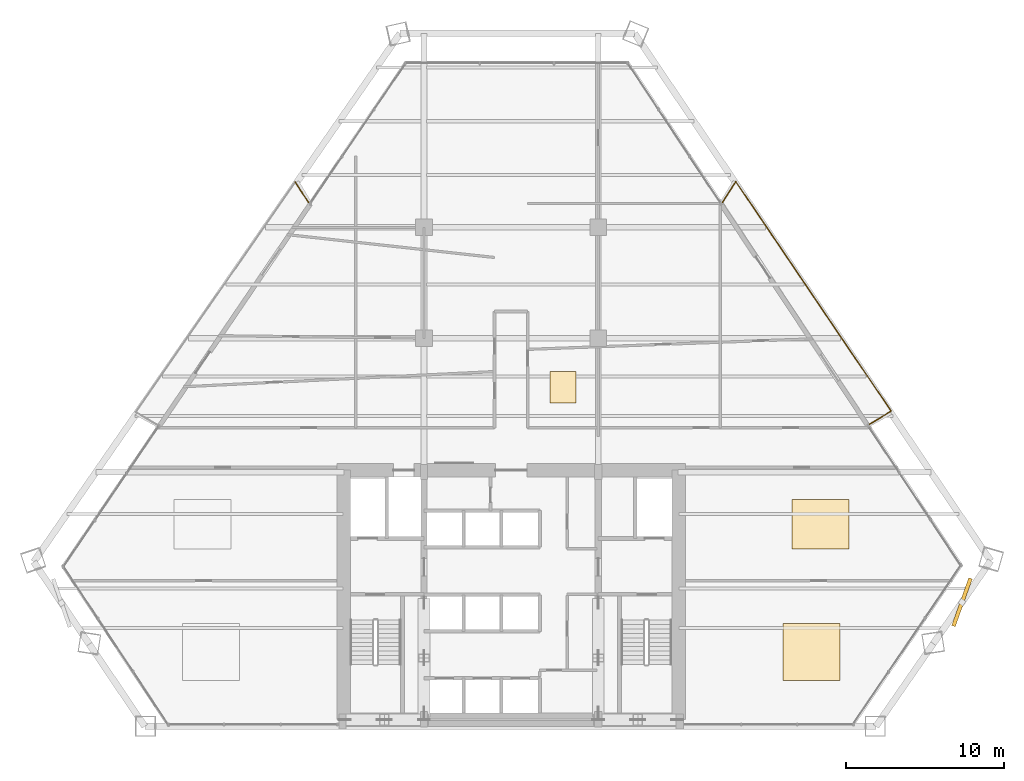
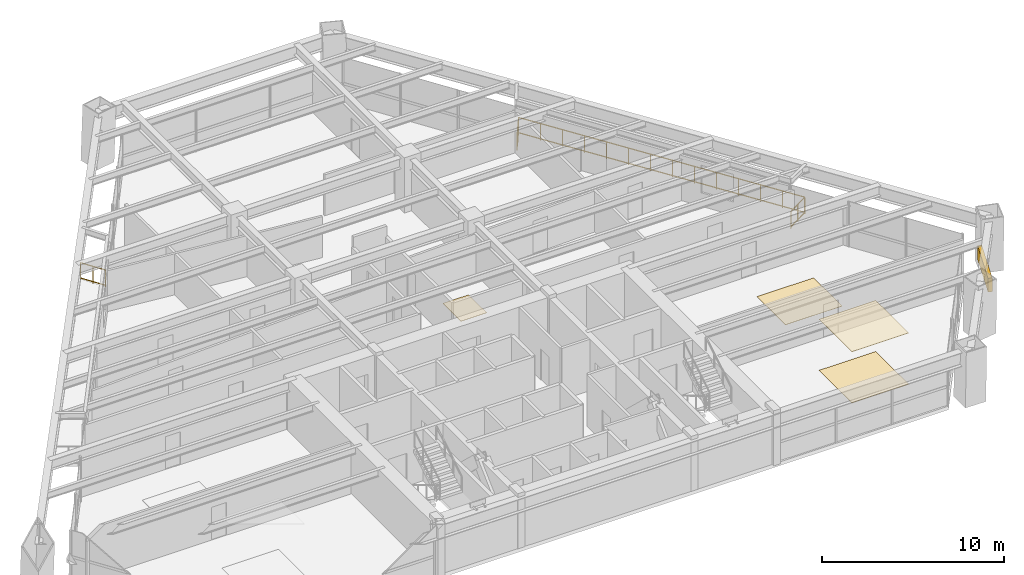
# One storey, part 14 of 14: 4 coverings, 4 railings, 1 shading device.
"""IFC4 building model written with IfcOpenShell, lengths in metres."""

from ifc_helpers import new_model, si_unit, direction, frame, origin, origin_2d, place, context, subcontext, project, spatial, rectangle, extrude, source, transform, mapped, material, layer, layer_set, type_object, type_shapes, element, save


model = new_model("IFC4")

# Units and contexts
model_context = context("Model", 3, precision=1e-05, world=origin(), true_north=direction((0.0, 1.0)))
body_context = subcontext(model_context, "Body", "Model", "MODEL_VIEW")
ifc_project = project(units=[si_unit("LENGTHUNIT", "METRE"), si_unit("AREAUNIT", "SQUARE_METRE"), si_unit("VOLUMEUNIT", "CUBIC_METRE"), si_unit("PLANEANGLEUNIT", "RADIAN"), si_unit("MASSUNIT", "GRAM", prefix="KILO")], contexts=[model_context])

# Site, building, storey
site_placement = place(None, origin())
site = spatial("IfcSite", under=ifc_project, at=site_placement, CompositionType="ELEMENT")
building_placement = place(site_placement, origin())
building = spatial("IfcBuilding", under=site, at=building_placement, Name="Varnakhor Terracotta Tower", CompositionType="ELEMENT")
storey_placement = place(building_placement, frame((0.0, 0.0, 60.800048828125)))
storey = spatial("IfcBuildingStorey", under=building, at=storey_placement, Name="L14", CompositionType="ELEMENT", Elevation=60.800048828125)

# Railings
ifc_material_1 = material(Name="Stainless Steel & Laminated Glass Guardrail", Category="steel")
railing_type = type_object("IfcRailingType", Name="RLG-LOGGIA-GUARD-1150", PredefinedType="GUARDRAIL", material=ifc_material_1)
railing_1_placement = place(storey_placement, frame((13.34130859375, 33.07958984375, 0.0)))
element("IfcRailing", 1, at=railing_1_placement, inside=storey, type_object=railing_type, Name="L14 E Loggia Glass Guard 1", PredefinedType="GUARDRAIL", context=body_context, shape_type="SweptSolid", body=[
    extrude(rectangle(XDim=0.048095703125, YDim=0.048095703125, at=origin_2d()), frame((0.0, 0.0, 1.1259765625), z_axis=(0.544014470875, 0.839075834164, 0.0), x_axis=(-0.839075834164, 0.544014470875, 0.0)), (0.0, 0.0, 1.0), 1.551513671875),
    extrude(rectangle(XDim=0.048095703125, YDim=0.048095703125, at=origin_2d()), frame((0.0, 0.0, 0.10009765625), z_axis=(0.544014470875, 0.839075834164, 0.0), x_axis=(-0.839075834164, 0.544014470875, 0.0)), (0.0, 0.0, 1.0), 1.551513671875),
    extrude(rectangle(XDim=0.0419921875, YDim=0.0419921875, at=origin_2d()), origin(), (0.0, 0.0, 1.0), 1.101806640625),
    extrude(rectangle(XDim=0.0419921875, YDim=0.0419921875, at=origin_2d()), frame((0.421875, 0.65087890625, 0.0)), (0.0, 0.0, 1.0), 1.101806640625),
    extrude(rectangle(XDim=0.0419921875, YDim=0.0419921875, at=origin_2d()), frame((0.843994140625, 1.3017578125, 0.0)), (0.0, 0.0, 1.0), 1.101806640625),
])
railing_2_placement = place(storey_placement, frame((14.185302734375, 34.38134765625, 0.0)))
element("IfcRailing", 2, at=railing_2_placement, inside=storey, type_object=railing_type, Name="L14 E Loggia Glass Guard 2", PredefinedType="GUARDRAIL", context=body_context, shape_type="SweptSolid", body=[
    extrude(rectangle(XDim=0.048095703125, YDim=0.048095703125, at=origin_2d()), frame((0.0, 0.0, 1.1259765625), z_axis=(0.560610447497, -0.828079661722, 0.0), x_axis=(0.828079661722, 0.560610447497, 0.0)), (0.0, 0.0, 1.0), 17.48876953125),
    extrude(rectangle(XDim=0.048095703125, YDim=0.048095703125, at=origin_2d()), frame((0.0, 0.0, 0.10009765625), z_axis=(0.560610447497, -0.828079661722, 0.0), x_axis=(0.828079661722, 0.560610447497, 0.0)), (0.0, 0.0, 1.0), 17.48876953125),
    extrude(rectangle(XDim=0.0419921875, YDim=0.0419921875, at=origin_2d()), origin(), (0.0, 0.0, 1.0), 1.101806640625),
    extrude(rectangle(XDim=0.0419921875, YDim=0.0419921875, at=origin_2d()), frame((0.754150390625, -1.114013671875, 0.0)), (0.0, 0.0, 1.0), 1.101806640625),
    extrude(rectangle(XDim=0.0419921875, YDim=0.0419921875, at=origin_2d()), frame((1.50830078125, -2.22802734375, 0.0)), (0.0, 0.0, 1.0), 1.101806640625),
    extrude(rectangle(XDim=0.0419921875, YDim=0.0419921875, at=origin_2d()), frame((2.262451171875, -3.342041015625, 0.0)), (0.0, 0.0, 1.0), 1.101806640625),
    extrude(rectangle(XDim=0.0419921875, YDim=0.0419921875, at=origin_2d()), frame((3.016845703125, -4.4560546875, 0.0)), (0.0, 0.0, 1.0), 1.101806640625),
    extrude(rectangle(XDim=0.0419921875, YDim=0.0419921875, at=origin_2d()), frame((3.77099609375, -5.570068359375, 0.0)), (0.0, 0.0, 1.0), 1.101806640625),
    extrude(rectangle(XDim=0.0419921875, YDim=0.0419921875, at=origin_2d()), frame((4.525146484375, -6.68408203125, 0.0)), (0.0, 0.0, 1.0), 1.101806640625),
    extrude(rectangle(XDim=0.0419921875, YDim=0.0419921875, at=origin_2d()), frame((5.279296875, -7.798095703125, 0.0)), (0.0, 0.0, 1.0), 1.101806640625),
    extrude(rectangle(XDim=0.0419921875, YDim=0.0419921875, at=origin_2d()), frame((6.033447265625, -8.912109375, 0.0)), (0.0, 0.0, 1.0), 1.101806640625),
    extrude(rectangle(XDim=0.0419921875, YDim=0.0419921875, at=origin_2d()), frame((6.78759765625, -10.026123046875, 0.0)), (0.0, 0.0, 1.0), 1.101806640625),
    extrude(rectangle(XDim=0.0419921875, YDim=0.0419921875, at=origin_2d()), frame((7.5419921875, -11.14013671875, 0.0)), (0.0, 0.0, 1.0), 1.101806640625),
    extrude(rectangle(XDim=0.0419921875, YDim=0.0419921875, at=origin_2d()), frame((8.296142578125, -12.254150390625, 0.0)), (0.0, 0.0, 1.0), 1.101806640625),
    extrude(rectangle(XDim=0.0419921875, YDim=0.0419921875, at=origin_2d()), frame((9.05029296875, -13.3681640625, 0.0)), (0.0, 0.0, 1.0), 1.101806640625),
    extrude(rectangle(XDim=0.0419921875, YDim=0.0419921875, at=origin_2d()), frame((9.804443359375, -14.482177734375, 0.0)), (0.0, 0.0, 1.0), 1.101806640625),
])
railing_3_placement = place(storey_placement, frame((23.98974609375, 19.899169921875, 0.0)))
element("IfcRailing", 3, at=railing_3_placement, inside=storey, type_object=railing_type, Name="L14 E Loggia Glass Guard 3", PredefinedType="GUARDRAIL", context=body_context, shape_type="SweptSolid", body=[
    extrude(rectangle(XDim=0.048095703125, YDim=0.048095703125, at=origin_2d()), frame((0.0, 0.0, 1.1259765625), z_axis=(-0.854942723107, -0.518722411513, 0.0), x_axis=(0.518722411513, -0.854942723107, 0.0)), (0.0, 0.0, 1.0), 1.594482421875),
    extrude(rectangle(XDim=0.048095703125, YDim=0.048095703125, at=origin_2d()), frame((0.0, 0.0, 0.10009765625), z_axis=(-0.854942723107, -0.518722411513, 0.0), x_axis=(0.518722411513, -0.854942723107, 0.0)), (0.0, 0.0, 1.0), 1.594482421875),
    extrude(rectangle(XDim=0.0419921875, YDim=0.0419921875, at=origin_2d()), origin(), (0.0, 0.0, 1.0), 1.101806640625),
    extrude(rectangle(XDim=0.0419921875, YDim=0.0419921875, at=origin_2d()), frame((-0.681640625, -0.41357421875, 0.0)), (0.0, 0.0, 1.0), 1.101806640625),
    extrude(rectangle(XDim=0.0419921875, YDim=0.0419921875, at=origin_2d()), frame((-1.36328125, -0.8271484375, 0.0)), (0.0, 0.0, 1.0), 1.101806640625),
])
railing_4_placement = place(storey_placement, frame((-13.63037109375, 34.364013671875, 0.0)))
element("IfcRailing", 4, at=railing_4_placement, inside=storey, type_object=railing_type, Name="L14 W Loggia Glass Guard 3", PredefinedType="GUARDRAIL", context=body_context, shape_type="SweptSolid", body=[
    extrude(rectangle(XDim=0.048095703125, YDim=0.048095703125, at=origin_2d()), frame((0.0, 0.0, 1.1259765625), z_axis=(0.54471180038, -0.838623309077, 0.0), x_axis=(0.838623309077, 0.54471180038, 0.0)), (0.0, 0.0, 1.0), 1.5517578125),
    extrude(rectangle(XDim=0.048095703125, YDim=0.048095703125, at=origin_2d()), frame((0.0, 0.0, 0.10009765625), z_axis=(0.54471180038, -0.838623309077, 0.0), x_axis=(0.838623309077, 0.54471180038, 0.0)), (0.0, 0.0, 1.0), 1.5517578125),
    extrude(rectangle(XDim=0.0419921875, YDim=0.0419921875, at=origin_2d()), origin(), (0.0, 0.0, 1.0), 1.101806640625),
    extrude(rectangle(XDim=0.0419921875, YDim=0.0419921875, at=origin_2d()), frame((0.422607421875, -0.650634765625, 0.0)), (0.0, 0.0, 1.0), 1.101806640625),
    extrude(rectangle(XDim=0.0419921875, YDim=0.0419921875, at=origin_2d()), frame((0.84521484375, -1.30126953125, 0.0)), (0.0, 0.0, 1.0), 1.101806640625),
])

# Shading device
ifc_material_2 = material(Name="Extruded Architectural Terracotta Screen", Category="masonry")
shading_device_type = type_object("IfcShadingDeviceType", Name="TERRACOTTA SOLAR SCREEN E", PredefinedType="USERDEFINED", material=ifc_material_2)
shared_shape_1 = source(origin(), body_context, "Body", "SweptSolid", [
    extrude(rectangle(XDim=3.199951171875, YDim=0.239990234375, at=origin_2d()), origin(), (0.0, 0.0, 1.0), 0.919921875),
])
type_shapes(shading_device_type, [shared_shape_1])
shading_device_placement = place(storey_placement, frame((28.463623046875, 7.839111328125, 1.617919921875), z_axis=(0.0, 0.0, 1.0), x_axis=(0.337506020341, 0.941323369642, 0.0)))
element("IfcShadingDevice", 5, at=shading_device_placement, inside=storey, type_object=shading_device_type, Name="L14 E Terracotta Solar Screen", ObjectType="SCREEN", PredefinedType="USERDEFINED", context=body_context, shape_type="MappedRepresentation", body=[
    mapped(shared_shape_1, transform((0.0, 0.0, 0.0), scale=1.0)),
])

# Coverings
ifc_material_3 = material(Name="Honed Riyadh Limestone Flooring", Category="masonry")
ifc_layer_1 = layer(ifc_material_3, 0.030029296875, Name="Honed Riyadh Limestone Flooring")
ifc_layer_set_1 = layer_set([ifc_layer_1], Name="Honed Riyadh Limestone Flooring")
covering_type_1 = type_object("IfcCoveringType", Name="COV-FLOOR-LIMESTONE", PredefinedType="FLOORING", material=ifc_layer_set_1)
shared_shape_2 = source(origin(), body_context, "Body", "SweptSolid", [
    extrude(rectangle(XDim=3.60009765625, YDim=3.60009765625, at=origin_2d()), origin(), (0.0, 0.0, 1.0), 0.02001953125),
])
covering_1_placement = place(storey_placement, frame((18.968017578125, 4.701904296875, 0.0), z_axis=(0.0, 0.0, 1.0), x_axis=(1.0, 0.0, 0.0)))
element("IfcCovering", 6, at=covering_1_placement, inside=storey, type_object=covering_type_1, Name="L14 Honed Stone Flooring 2", PredefinedType="FLOORING", context=body_context, shape_type="MappedRepresentation", body=[
    mapped(shared_shape_2, transform((0.0, 0.0, 0.0), scale=1.0)),
])
ifc_material_4 = material(Name="Perforated Acoustic Mineral-Fibre Ceiling", Category="gypsum")
ifc_layer_2 = layer(ifc_material_4, 0.02490234375, Name="Perforated Acoustic Mineral-Fibre Ceiling")
ifc_layer_set_2 = layer_set([ifc_layer_2], Name="Perforated Acoustic Mineral-Fibre Ceiling")
covering_type_2 = type_object("IfcCoveringType", Name="COV-CEILING-ACOUSTIC", PredefinedType="CEILING", material=ifc_layer_set_2)
shared_shape_3 = source(origin(), body_context, "Body", "SweptSolid", [
    extrude(rectangle(XDim=3.60009765625, YDim=3.60009765625, at=origin_2d()), origin(), (0.0, 0.0, 1.0), 0.02392578125),
])
covering_2_placement = place(storey_placement, frame((18.968017578125, 4.701904296875, 3.426025390625), z_axis=(0.0, 0.0, 1.0), x_axis=(1.0, 0.0, 0.0)))
element("IfcCovering", 7, at=covering_2_placement, inside=storey, type_object=covering_type_2, Name="L14 Acoustic Ceiling Panel 2", PredefinedType="CEILING", context=body_context, shape_type="MappedRepresentation", body=[
    mapped(shared_shape_3, transform((0.0, 0.0, 0.0), scale=1.0)),
])
shared_shape_4 = source(origin(), body_context, "Body", "SweptSolid", [
    extrude(rectangle(XDim=3.60009765625, YDim=3.1220703125, at=origin_2d()), origin(), (0.0, 0.0, 1.0), 0.02001953125),
])
covering_3_placement = place(storey_placement, frame((19.54296875, 12.763916015625, 0.0), z_axis=(0.0, 0.0, 1.0), x_axis=(1.0, 0.0, 0.0)))
element("IfcCovering", 8, at=covering_3_placement, inside=storey, type_object=covering_type_1, Name="L14 Honed Stone Flooring 4", PredefinedType="FLOORING", context=body_context, shape_type="MappedRepresentation", body=[
    mapped(shared_shape_4, transform((0.0, 0.0, 0.0), scale=1.0)),
])
shared_shape_5 = source(origin(), body_context, "Body", "SweptSolid", [
    extrude(rectangle(XDim=1.636962890625, YDim=1.987060546875, at=origin_2d()), origin(), (0.0, 0.0, 1.0), 0.02001953125),
])
covering_4_placement = place(storey_placement, frame((3.285888671875, 21.405029296875, 0.0), z_axis=(0.0, 0.0, 1.0), x_axis=(1.0, 0.0, 0.0)))
element("IfcCovering", 9, at=covering_4_placement, inside=storey, type_object=covering_type_1, Name="L14 Honed Stone Flooring 5", PredefinedType="FLOORING", context=body_context, shape_type="MappedRepresentation", body=[
    mapped(shared_shape_5, transform((0.0, 0.0, 0.0), scale=1.0)),
])

save(model, "model.ifc")
